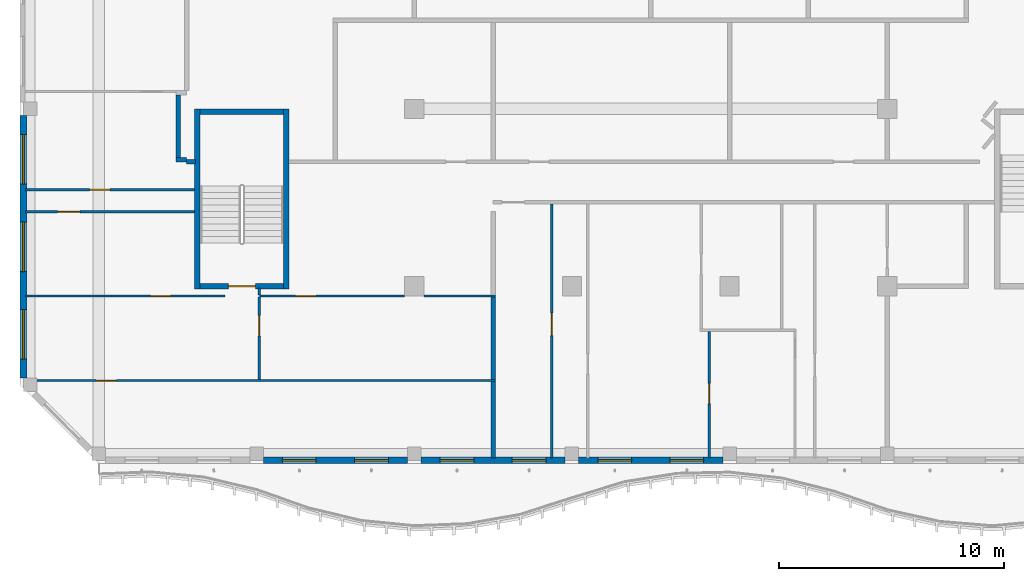
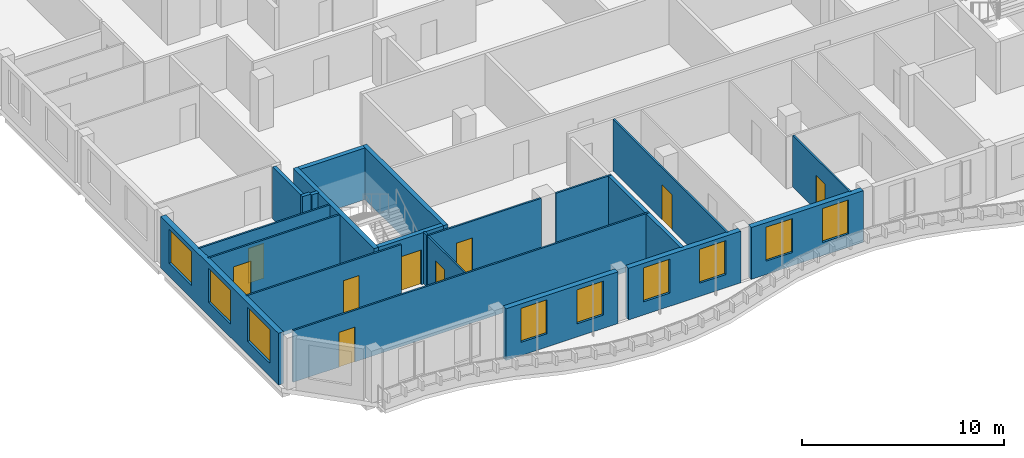
# One storey, part 2 of 18: 23 walls, 9 doors, 9 windows, 18 openings.
"""IFC4 building model written with IfcOpenShell, lengths in metres."""

import ifcopenshell
import ifcopenshell.guid

model = None  # the IFC model being written
_history = None  # IfcOwnerHistory: only IFC2X3 demands one
_inside = {}  # id of a spatial element -> (the spatial element, [elements in it])
_under = {}  # id of a project, library or spatial element -> (it, [spatial elements below it])
_declared = {}  # id of a project -> (the project, [libraries it declares])
_typed = {}  # id of a type object -> (the type object, [elements of that type])
_made_of = {}  # id of a material, layer set ... -> (it, [elements and type objects made of it])


def new_model(schema):
    """Start an empty IFC model of exactly this schema.

    Asked for "IFC4X3", IfcOpenShell would pick the latest addendum, in which some entities
    have other attributes; the version numbers below select the first issue.
    IFC2X3 requires an IfcOwnerHistory on every rooted entity: one is made here for all.
    """
    global model, _history
    if schema == "IFC4X3":
        model = ifcopenshell.file(schema_version=(4, 3, 0, 0))
    else:
        model = ifcopenshell.file(schema=schema)
    _inside.clear()
    _under.clear()
    _declared.clear()
    _typed.clear()
    _made_of.clear()
    _history = None
    if model.schema == "IFC2X3":
        org = make("IfcOrganization", Name="unknown")
        user = make(
            "IfcPersonAndOrganization",
            ThePerson=make("IfcPerson", FamilyName="unknown"),
            TheOrganization=org,
        )
        app = make(
            "IfcApplication",
            ApplicationDeveloper=org,
            Version="unknown",
            ApplicationFullName="unknown",
            ApplicationIdentifier="unknown",
        )
        _history = make(
            "IfcOwnerHistory",
            OwningUser=user,
            OwningApplication=app,
            ChangeAction="ADDED",
            CreationDate=0,
        )
    return model


def make(cls, **values):
    """One entity of the class cls with the attributes given. An attribute that is None is left unset."""
    return model.create_entity(
        cls, **{name: value for name, value in values.items() if value is not None}
    )


def rooted(cls, **values):
    """An entity with a GlobalId (a new one), such as an element, a storey or a relation."""
    return make(cls, GlobalId=ifcopenshell.guid.new(), OwnerHistory=_history, **values)


def si_unit(unit_type, name, prefix=None):
    """IfcSIUnit, for example si_unit("LENGTHUNIT", "METRE", prefix="MILLI")."""
    return make("IfcSIUnit", UnitType=unit_type, Prefix=prefix, Name=name)


def assignment(units):
    """IfcUnitAssignment: the units of a project."""
    return None if units is None else make("IfcUnitAssignment", Units=units)


def point(xyz):
    """IfcCartesianPoint."""
    return None if xyz is None else make("IfcCartesianPoint", Coordinates=xyz)


def direction(xyz):
    """IfcDirection."""
    return None if xyz is None else make("IfcDirection", DirectionRatios=xyz)


def frame(location, z_axis=None, x_axis=None):
    """IfcAxis2Placement3D, a coordinate frame: its origin and axes. An axis left out is left unset."""
    return make(
        "IfcAxis2Placement3D",
        Location=point(location),
        Axis=direction(z_axis),
        RefDirection=direction(x_axis),
    )


def frame_2d(location, x_axis=None):
    """IfcAxis2Placement2D, a coordinate frame in the plane: its origin and x axis."""
    return make(
        "IfcAxis2Placement2D", Location=point(location), RefDirection=direction(x_axis)
    )


def origin():
    """The frame at (0, 0, 0) with its axes left unset."""
    return frame((0.0, 0.0, 0.0))


def place(relative_to, where):
    """IfcLocalPlacement: puts the frame where relative to a parent placement (None: the world)."""
    return make(
        "IfcLocalPlacement", PlacementRelTo=relative_to, RelativePlacement=where
    )


def context(
    kind, dimensions, precision=None, world=None, true_north=None, identifier=None
):
    """IfcGeometricRepresentationContext, for example the 3D "Model" context."""
    return make(
        "IfcGeometricRepresentationContext",
        ContextIdentifier=identifier,
        ContextType=kind,
        CoordinateSpaceDimension=dimensions,
        Precision=precision,
        WorldCoordinateSystem=world,
        TrueNorth=true_north,
    )


def subcontext(parent, identifier, kind, view, scale=None):
    """IfcGeometricRepresentationSubContext, for example "Body" below "Model"."""
    return make(
        "IfcGeometricRepresentationSubContext",
        ContextIdentifier=identifier,
        ContextType=kind,
        ParentContext=parent,
        TargetScale=scale,
        TargetView=view,
    )


def project(units=None, contexts=None):
    """IfcProject with its units and contexts."""
    return rooted(
        "IfcProject",
        Name="project",
        RepresentationContexts=contexts,
        UnitsInContext=assignment(units),
    )


def spatial(cls, under=None, at=None, **own):
    """A site, building, storey or space (cls), placed at a placement, below another one or the project."""
    s = rooted(cls, ObjectPlacement=at, **own)
    if under is not None:
        _under.setdefault(under.id(), (under, []))[1].append(s)
    return s


def profile(cls, at=None, kind="AREA", **sizes):
    """A parametric profile (cls). Its sizes go by their IFC names, for example OverallWidth=200.0."""
    return make(cls, ProfileType=kind, Position=at, **sizes)


def rectangle(**sizes):
    """IfcRectangleProfileDef."""
    return profile("IfcRectangleProfileDef", **sizes)


def extrude(swept, where, along, depth):
    """IfcExtrudedAreaSolid: the profile swept, set in the frame where, extruded along a direction by depth."""
    return make(
        "IfcExtrudedAreaSolid",
        SweptArea=swept,
        Position=where,
        ExtrudedDirection=direction(along),
        Depth=depth,
    )


def shape(context_of_items, identifier, shape_type, items):
    """IfcShapeRepresentation: the items that make up one representation, for example the "Body"."""
    return make(
        "IfcShapeRepresentation",
        ContextOfItems=context_of_items,
        RepresentationIdentifier=identifier,
        RepresentationType=shape_type,
        Items=items,
    )


def source(mapping_origin, context_of_items, identifier, shape_type, items):
    """IfcRepresentationMap: a shape defined once, which mapped items show again and again."""
    return make(
        "IfcRepresentationMap",
        MappingOrigin=mapping_origin,
        MappedRepresentation=shape(context_of_items, identifier, shape_type, items),
    )


def transform(
    local_origin,
    x_axis=None,
    y_axis=None,
    z_axis=None,
    scale=None,
    scale2=None,
    scale3=None,
    uniform=True,
):
    """IfcCartesianTransformationOperator3D, or its non-uniform kind. x_axis, y_axis, z_axis: its Axis1, 2, 3."""
    if uniform:
        return make(
            "IfcCartesianTransformationOperator3D",
            Axis1=direction(x_axis),
            Axis2=direction(y_axis),
            LocalOrigin=point(local_origin),
            Scale=scale,
            Axis3=direction(z_axis),
        )
    return make(
        "IfcCartesianTransformationOperator3DnonUniform",
        Axis1=direction(x_axis),
        Axis2=direction(y_axis),
        LocalOrigin=point(local_origin),
        Scale=scale,
        Axis3=direction(z_axis),
        Scale2=scale2,
        Scale3=scale3,
    )


def mapped(mapping_source, mapping_target):
    """IfcMappedItem: shows the shape of a source again, moved by a transform."""
    return make(
        "IfcMappedItem", MappingSource=mapping_source, MappingTarget=mapping_target
    )


def material(Name=None, Category=None):
    """IfcMaterial."""
    return make("IfcMaterial", Name=Name, Category=Category)


def layer(
    of_material, thickness, ventilated=None, Name=None, Category=None, Priority=None
):
    """IfcMaterialLayer: one layer of a wall or slab, of a material (None: an air gap)."""
    return make(
        "IfcMaterialLayer",
        Material=of_material,
        LayerThickness=thickness,
        IsVentilated=ventilated,
        Name=Name,
        Category=Category,
        Priority=Priority,
    )


def layer_set(layers, Name=None):
    """IfcMaterialLayerSet."""
    return make("IfcMaterialLayerSet", MaterialLayers=layers, LayerSetName=Name)


def made_of(thing, what):
    """Note that an element or type object is made of a material, layer set ...; save() writes the relation."""
    if what is not None:
        _made_of.setdefault(what.id(), (what, []))[1].append(thing)
    return thing


def type_object(cls, material=None, **own):
    """A type object (cls), such as IfcWallType, which elements share."""
    return made_of(rooted(cls, **own), material)


def element(
    cls,
    number,
    at=None,
    inside=None,
    cuts=None,
    type_object=None,
    material=None,
    context=None,
    identifier="Body",
    shape_type=None,
    held_by="IfcProductDefinitionShape",
    body=None,
    shapes=None,
    **own,
):
    """One element of the class cls, such as IfcWall. Its Tag is "e" and its number.

    at: its placement. inside: the storey or other place that contains it. cuts: it is an
    opening in that element (IfcRelVoidsElement). A single representation is given by context,
    identifier, shape_type and body (its items); several are given by shapes. held_by: the class
    of the entity that holds the representations. save() writes the other relations.
    """
    e = rooted(cls, Tag="e%d" % number, ObjectPlacement=at, **own)
    if body is not None:
        shapes = [shape(context, identifier, shape_type, body)]
    if shapes is not None:
        e.Representation = make(held_by, Representations=shapes)
    if inside is not None:
        _inside.setdefault(inside.id(), (inside, []))[1].append(e)
    if cuts is not None:
        rooted(
            "IfcRelVoidsElement", RelatingBuildingElement=cuts, RelatedOpeningElement=e
        )
    if type_object is not None:
        _typed.setdefault(type_object.id(), (type_object, []))[1].append(e)
    return made_of(e, material)


def fill(opening, filler):
    """IfcRelFillsElement: the door or window that sits in an opening."""
    return rooted(
        "IfcRelFillsElement",
        RelatingOpeningElement=opening,
        RelatedBuildingElement=filler,
    )


def aggregate(whole, parts):
    """IfcRelAggregates: a whole, such as a stair, and the parts it consists of."""
    return rooted("IfcRelAggregates", RelatingObject=whole, RelatedObjects=parts)


def save(model, path):
    """Write the relations noted so far, then the file.

    IfcRelAggregates (storeys below a building ...), IfcRelContainedInSpatialStructure (elements
    in a storey), IfcRelDefinesByType, IfcRelAssociatesMaterial and IfcRelDeclares: one each for
    every whole, place, type object, material and project.
    """
    for whole, parts in _under.values():
        aggregate(whole, parts)
    for where, things in _inside.values():
        rooted(
            "IfcRelContainedInSpatialStructure",
            RelatedElements=things,
            RelatingStructure=where,
        )
    for kind, things in _typed.values():
        rooted("IfcRelDefinesByType", RelatedObjects=things, RelatingType=kind)
    for what, things in _made_of.values():
        rooted("IfcRelAssociatesMaterial", RelatedObjects=things, RelatingMaterial=what)
    for by, libraries in _declared.values():
        rooted("IfcRelDeclares", RelatingContext=by, RelatedDefinitions=libraries)
    model.write(path)


model = new_model("IFC4")

# Units and contexts
model_context = context("Model", 3, precision=1e-05, world=origin(), true_north=direction((0.0, 1.0)))
body_context = subcontext(model_context, "Body", "Model", "MODEL_VIEW")
ifc_project = project(units=[si_unit("LENGTHUNIT", "METRE"), si_unit("AREAUNIT", "SQUARE_METRE"), si_unit("VOLUMEUNIT", "CUBIC_METRE"), si_unit("PLANEANGLEUNIT", "RADIAN"), si_unit("MASSUNIT", "GRAM", prefix="KILO")], contexts=[model_context])

# Site, building, storey
site_placement = place(None, origin())
site = spatial("IfcSite", under=ifc_project, at=site_placement, CompositionType="ELEMENT")
building_placement = place(site_placement, origin())
building = spatial("IfcBuilding", under=site, at=building_placement, Name="Kilnfold Tower and Market Hall", CompositionType="ELEMENT")
storey_placement = place(building_placement, frame((0.0, 0.0, 312.0)))
storey = spatial("IfcBuildingStorey", under=building, at=storey_placement, Name="L78", CompositionType="ELEMENT", Elevation=312.0)

# Wall, opening, door
ifc_material_1 = material(Name="Gypsum board on steel studs", Category="steel")
ifc_layer_1 = layer(ifc_material_1, 0.10009765625)
ifc_layer_set_1 = layer_set([ifc_layer_1], Name="Gypsum board on steel studs")
wall_type_1 = type_object("IfcWallType", Name="WALL PARTITION 100", PredefinedType="PARTITIONING", material=ifc_layer_set_1)
wall_1_placement = place(storey_placement, frame((-24.75, -19.81201171875, 0.0), z_axis=(0.0, 0.0, 1.0), x_axis=(1.0, 0.0, 0.0)))
wall_1 = element("IfcWall", 1, at=wall_1_placement, inside=storey, type_object=wall_type_1, Name="Partition LY46.24", PredefinedType="PARTITIONING", context=body_context, shape_type="SweptSolid", body=[
    extrude(rectangle(XDim=20.35009765625, YDim=0.10009765625, at=frame_2d((10.175048828125, 0.0))), origin(), (0.0, 0.0, 1.0), 3.1201171875),
])
opening_1_placement = place(wall_1_placement, frame((2.6240234375, 0.0, 0.0)))
opening_1 = element("IfcOpeningElement", 2, at=opening_1_placement, cuts=wall_1, Name="Opening D2", PredefinedType="OPENING", context=body_context, shape_type="SweptSolid", body=[
    extrude(rectangle(XDim=0.89990234375, YDim=2.10009765625, at=frame_2d((0.449951171875, 1.050048828125))), frame((0.0, 0.06005859375, 0.0), z_axis=(0.0, -1.0, 0.0), x_axis=(1.0, 0.0, 0.0)), (0.0, 0.0, 1.0), 0.1201171875),
])
ifc_material_2 = material(Name="Timber veneer door leaf in steel frame", Category="steel")
door_type_1 = type_object("IfcDoorType", Name="DOOR ROOM 900 X2100", OperationType="NOTDEFINED", PredefinedType="DOOR", material=ifc_material_2)
door_1_placement = place(opening_1_placement, origin())
door_1 = element("IfcDoor", 3, at=door_1_placement, inside=storey, type_object=door_type_1, Name="Door D2", OperationType="SINGLE_SWING_LEFT", OverallHeight=2.10009765625, OverallWidth=0.89990234375, PredefinedType="DOOR", context=body_context, shape_type="SweptSolid", body=[
    extrude(rectangle(XDim=0.89990234375, YDim=2.10009765625, at=frame_2d((0.449951171875, 1.050048828125))), frame((0.0, 0.02490234375, 0.0), z_axis=(0.0, -1.0, 0.0), x_axis=(1.0, 0.0, 0.0)), (0.0, 0.0, 1.0), 0.050048828125),
])
fill(opening_1, door_1)

wall_2_placement = place(storey_placement, frame((-14.875, -19.761962890625, 0.0), z_axis=(0.0, 0.0, 1.0), x_axis=(0.0, 1.0, 0.0)))
wall_2 = element("IfcWall", 4, at=wall_2_placement, inside=storey, type_object=wall_type_1, Name="Partition LY46.26", PredefinedType="PARTITIONING", context=body_context, shape_type="SweptSolid", body=[
    extrude(rectangle(XDim=3.64990234375, YDim=0.10009765625, at=frame_2d((1.824951171875, 0.0))), origin(), (0.0, 0.0, 1.0), 3.1201171875),
])
opening_2_placement = place(wall_2_placement, frame((1.93701171875, 0.0, 0.0)))
opening_2 = element("IfcOpeningElement", 5, at=opening_2_placement, cuts=wall_2, Name="Opening D2", PredefinedType="OPENING", context=body_context, shape_type="SweptSolid", body=[
    extrude(rectangle(XDim=0.89990234375, YDim=2.10009765625, at=frame_2d((0.449951171875, 1.050048828125))), frame((0.0, 0.06005859375, 0.0), z_axis=(0.0, -1.0, 0.0), x_axis=(1.0, 0.0, 0.0)), (0.0, 0.0, 1.0), 0.1201171875),
])
door_2_placement = place(opening_2_placement, origin())
door_2 = element("IfcDoor", 6, at=door_2_placement, inside=storey, type_object=door_type_1, Name="Door D2", OperationType="SINGLE_SWING_RIGHT", OverallHeight=2.10009765625, OverallWidth=0.89990234375, PredefinedType="DOOR", context=body_context, shape_type="SweptSolid", body=[
    extrude(rectangle(XDim=0.89990234375, YDim=2.10009765625, at=frame_2d((0.449951171875, 1.050048828125))), frame((0.0, 0.02490234375, 0.0), z_axis=(0.0, -1.0, 0.0), x_axis=(1.0, 0.0, 0.0)), (0.0, 0.0, 1.0), 0.050048828125),
])
fill(opening_2, door_2)

wall_3_placement = place(storey_placement, frame((-25.25, -16.06201171875, 0.0), z_axis=(0.0, 0.0, 1.0), x_axis=(1.0, 0.0, 0.0)))
wall_3 = element("IfcWall", 7, at=wall_3_placement, inside=storey, type_object=wall_type_1, Name="Partition LY46.27", PredefinedType="PARTITIONING", context=body_context, shape_type="SweptSolid", body=[
    extrude(rectangle(XDim=8.85009765625, YDim=0.10009765625, at=frame_2d((4.425048828125, 0.0))), origin(), (0.0, 0.0, 1.0), 3.1201171875),
])
opening_3_placement = place(wall_3_placement, frame((5.534912109375, 0.0, 0.0)))
opening_3 = element("IfcOpeningElement", 8, at=opening_3_placement, cuts=wall_3, Name="Opening D2", PredefinedType="OPENING", context=body_context, shape_type="SweptSolid", body=[
    extrude(rectangle(XDim=0.89990234375, YDim=2.10009765625, at=frame_2d((0.449951171875, 1.050048828125))), frame((0.0, 0.06005859375, 0.0), z_axis=(0.0, -1.0, 0.0), x_axis=(1.0, 0.0, 0.0)), (0.0, 0.0, 1.0), 0.1201171875),
])
door_3_placement = place(opening_3_placement, origin())
door_3 = element("IfcDoor", 9, at=door_3_placement, inside=storey, type_object=door_type_1, Name="Door D2", OperationType="SINGLE_SWING_RIGHT", OverallHeight=2.10009765625, OverallWidth=0.89990234375, PredefinedType="DOOR", context=body_context, shape_type="SweptSolid", body=[
    extrude(rectangle(XDim=0.89990234375, YDim=2.10009765625, at=frame_2d((0.449951171875, 1.050048828125))), frame((0.0, 0.02490234375, 0.0), z_axis=(0.0, -1.0, 0.0), x_axis=(1.0, 0.0, 0.0)), (0.0, 0.0, 1.0), 0.050048828125),
])
fill(opening_3, door_3)

# Wall
wall_4_placement = place(storey_placement, frame((-7.574951171875, -16.06201171875, 0.0), z_axis=(0.0, 0.0, 1.0), x_axis=(1.0, 0.0, 0.0)))
element("IfcWall", 10, at=wall_4_placement, inside=storey, type_object=wall_type_1, Name="Partition LY46.28", PredefinedType="PARTITIONING", context=body_context, shape_type="SweptSolid", body=[
    extrude(rectangle(XDim=3.175048828125, YDim=0.10009765625, at=frame_2d((1.58740234375, 0.0))), origin(), (0.0, 0.0, 1.0), 3.1201171875),
])

# Wall, opening, door
wall_5_placement = place(storey_placement, frame((-14.875, -16.06201171875, 0.0), z_axis=(0.0, 0.0, 1.0), x_axis=(1.0, 0.0, 0.0)))
wall_5 = element("IfcWall", 11, at=wall_5_placement, inside=storey, type_object=wall_type_1, Name="Partition LY46.29", PredefinedType="PARTITIONING", context=body_context, shape_type="SweptSolid", body=[
    extrude(rectangle(XDim=6.449951171875, YDim=0.10009765625, at=frame_2d((3.22509765625, 0.0))), origin(), (0.0, 0.0, 1.0), 3.1201171875),
])
opening_4_placement = place(wall_5_placement, frame((1.614013671875, 0.0, 0.0)))
opening_4 = element("IfcOpeningElement", 12, at=opening_4_placement, cuts=wall_5, Name="Opening D2", PredefinedType="OPENING", context=body_context, shape_type="SweptSolid", body=[
    extrude(rectangle(XDim=0.89990234375, YDim=2.10009765625, at=frame_2d((0.449951171875, 1.050048828125))), frame((0.0, 0.06005859375, 0.0), z_axis=(0.0, -1.0, 0.0), x_axis=(1.0, 0.0, 0.0)), (0.0, 0.0, 1.0), 0.1201171875),
])
door_4_placement = place(opening_4_placement, origin())
door_4 = element("IfcDoor", 13, at=door_4_placement, inside=storey, type_object=door_type_1, Name="Door D2", OperationType="SINGLE_SWING_RIGHT", OverallHeight=2.10009765625, OverallWidth=0.89990234375, PredefinedType="DOOR", context=body_context, shape_type="SweptSolid", body=[
    extrude(rectangle(XDim=0.89990234375, YDim=2.10009765625, at=frame_2d((0.449951171875, 1.050048828125))), frame((0.0, 0.02490234375, 0.0), z_axis=(0.0, -1.0, 0.0), x_axis=(1.0, 0.0, 0.0)), (0.0, 0.0, 1.0), 0.050048828125),
])
fill(opening_4, door_4)

# Wall
wall_6_placement = place(storey_placement, frame((-14.875, -16.011962890625, 0.0), z_axis=(0.0, 0.0, 1.0), x_axis=(0.0, 1.0, 0.0)))
element("IfcWall", 14, at=wall_6_placement, inside=storey, type_object=wall_type_1, Name="Partition LY46.31", PredefinedType="PARTITIONING", context=body_context, shape_type="SweptSolid", body=[
    extrude(rectangle(XDim=0.31201171875, YDim=0.10009765625, at=frame_2d((0.156005859375, 0.0))), origin(), (0.0, 0.0, 1.0), 3.1201171875),
])

# Wall, opening, door
wall_7_placement = place(storey_placement, frame((-17.75, -12.31201171875, 0.0), z_axis=(0.0, 0.0, 1.0), x_axis=(-1.0, 0.0, 0.0)))
wall_7 = element("IfcWall", 15, at=wall_7_placement, inside=storey, type_object=wall_type_1, Name="Partition LY46.32", PredefinedType="PARTITIONING", context=body_context, shape_type="SweptSolid", body=[
    extrude(rectangle(XDim=7.5, YDim=0.10009765625, at=frame_2d((3.75, 0.0))), origin(), (0.0, 0.0, 1.0), 3.1201171875),
])
opening_5_placement = place(wall_7_placement, frame((5.080078125, 0.0, 0.0)))
opening_5 = element("IfcOpeningElement", 16, at=opening_5_placement, cuts=wall_7, Name="Opening D1", PredefinedType="OPENING", context=body_context, shape_type="SweptSolid", body=[
    extrude(rectangle(XDim=1.0, YDim=2.10009765625, at=frame_2d((0.5, 1.050048828125))), frame((0.0, 0.06005859375, 0.0), z_axis=(0.0, -1.0, 0.0), x_axis=(1.0, 0.0, 0.0)), (0.0, 0.0, 1.0), 0.1201171875),
])
ifc_material_3 = material(Name="Timber veneer door leaf in steel frame", Category="steel")
door_type_2 = type_object("IfcDoorType", Name="DOOR ENTRY 1000 X2100", OperationType="NOTDEFINED", PredefinedType="DOOR", material=ifc_material_3)
door_5_placement = place(opening_5_placement, origin())
door_5 = element("IfcDoor", 17, at=door_5_placement, inside=storey, type_object=door_type_2, Name="Door D1", OperationType="SINGLE_SWING_RIGHT", OverallHeight=2.10009765625, OverallWidth=1.0, PredefinedType="DOOR", context=body_context, shape_type="SweptSolid", body=[
    extrude(rectangle(XDim=1.0, YDim=2.10009765625, at=frame_2d((0.5, 1.050048828125))), frame((0.0, 0.02490234375, 0.0), z_axis=(0.0, -1.0, 0.0), x_axis=(1.0, 0.0, 0.0)), (0.0, 0.0, 1.0), 0.050048828125),
])
fill(opening_5, door_5)

wall_8_placement = place(storey_placement, frame((-17.75, -11.342041015625, 0.0), z_axis=(0.0, 0.0, 1.0), x_axis=(-1.0, 0.0, 0.0)))
wall_8 = element("IfcWall", 18, at=wall_8_placement, inside=storey, type_object=wall_type_1, Name="Partition LY46.34", PredefinedType="PARTITIONING", context=body_context, shape_type="SweptSolid", body=[
    extrude(rectangle(XDim=7.5, YDim=0.10009765625, at=frame_2d((3.75, 0.0))), origin(), (0.0, 0.0, 1.0), 3.1201171875),
])
opening_6_placement = place(wall_8_placement, frame((3.757080078125, 0.0, 0.0)))
opening_6 = element("IfcOpeningElement", 19, at=opening_6_placement, cuts=wall_8, Name="Opening D2", PredefinedType="OPENING", context=body_context, shape_type="SweptSolid", body=[
    extrude(rectangle(XDim=0.89990234375, YDim=2.10009765625, at=frame_2d((0.449951171875, 1.050048828125))), frame((0.0, 0.06005859375, 0.0), z_axis=(0.0, -1.0, 0.0), x_axis=(1.0, 0.0, 0.0)), (0.0, 0.0, 1.0), 0.1201171875),
])
door_6_placement = place(opening_6_placement, origin())
door_6 = element("IfcDoor", 20, at=door_6_placement, inside=storey, type_object=door_type_1, Name="Door D2", OperationType="SINGLE_SWING_LEFT", OverallHeight=2.10009765625, OverallWidth=0.89990234375, PredefinedType="DOOR", context=body_context, shape_type="SweptSolid", body=[
    extrude(rectangle(XDim=0.89990234375, YDim=2.10009765625, at=frame_2d((0.449951171875, 1.050048828125))), frame((0.0, 0.02490234375, 0.0), z_axis=(0.0, -1.0, 0.0), x_axis=(1.0, 0.0, 0.0)), (0.0, 0.0, 1.0), 0.050048828125),
])
fill(opening_6, door_6)

wall_9_placement = place(storey_placement, frame((-1.89990234375, -23.25, 0.0), z_axis=(0.0, 0.0, 1.0), x_axis=(0.0, 1.0, 0.0)))
wall_9 = element("IfcWall", 21, at=wall_9_placement, inside=storey, type_object=wall_type_1, Name="Partition LY46.46", PredefinedType="PARTITIONING", context=body_context, shape_type="SweptSolid", body=[
    extrude(rectangle(XDim=11.27294921875, YDim=0.10009765625, at=frame_2d((5.636474609375, 0.0))), origin(), (0.0, 0.0, 1.0), 3.1201171875),
])
opening_7_placement = place(wall_9_placement, frame((5.43896484375, 0.0, 0.0)))
opening_7 = element("IfcOpeningElement", 22, at=opening_7_placement, cuts=wall_9, Name="Opening D1", PredefinedType="OPENING", context=body_context, shape_type="SweptSolid", body=[
    extrude(rectangle(XDim=1.0, YDim=2.10009765625, at=frame_2d((0.5, 1.050048828125))), frame((0.0, 0.06005859375, 0.0), z_axis=(0.0, -1.0, 0.0), x_axis=(1.0, 0.0, 0.0)), (0.0, 0.0, 1.0), 0.1201171875),
])
door_7_placement = place(opening_7_placement, origin())
door_7 = element("IfcDoor", 23, at=door_7_placement, inside=storey, type_object=door_type_2, Name="Door D1", OperationType="SINGLE_SWING_LEFT", OverallHeight=2.10009765625, OverallWidth=1.0, PredefinedType="DOOR", context=body_context, shape_type="SweptSolid", body=[
    extrude(rectangle(XDim=1.0, YDim=2.10009765625, at=frame_2d((0.5, 1.050048828125))), frame((0.0, 0.02490234375, 0.0), z_axis=(0.0, -1.0, 0.0), x_axis=(1.0, 0.0, 0.0)), (0.0, 0.0, 1.0), 0.050048828125),
])
fill(opening_7, door_7)

wall_10_placement = place(storey_placement, frame((5.10009765625, -23.25, 0.0), z_axis=(0.0, 0.0, 1.0), x_axis=(0.0, 1.0, 0.0)))
wall_10 = element("IfcWall", 24, at=wall_10_placement, inside=storey, type_object=wall_type_1, Name="Partition LY46.48", PredefinedType="PARTITIONING", context=body_context, shape_type="SweptSolid", body=[
    extrude(rectangle(XDim=5.6240234375, YDim=0.10009765625, at=frame_2d((2.81201171875, 0.0))), origin(), (0.0, 0.0, 1.0), 3.1201171875),
])
opening_8_placement = place(wall_10_placement, frame((2.412109375, 0.0, 0.0)))
opening_8 = element("IfcOpeningElement", 25, at=opening_8_placement, cuts=wall_10, Name="Opening D2", PredefinedType="OPENING", context=body_context, shape_type="SweptSolid", body=[
    extrude(rectangle(XDim=0.89990234375, YDim=2.10009765625, at=frame_2d((0.449951171875, 1.050048828125))), frame((0.0, 0.06005859375, 0.0), z_axis=(0.0, -1.0, 0.0), x_axis=(1.0, 0.0, 0.0)), (0.0, 0.0, 1.0), 0.1201171875),
])
door_8_placement = place(opening_8_placement, origin())
door_8 = element("IfcDoor", 26, at=door_8_placement, inside=storey, type_object=door_type_1, Name="Door D2", OperationType="SINGLE_SWING_LEFT", OverallHeight=2.10009765625, OverallWidth=0.89990234375, PredefinedType="DOOR", context=body_context, shape_type="SweptSolid", body=[
    extrude(rectangle(XDim=0.89990234375, YDim=2.10009765625, at=frame_2d((0.449951171875, 1.050048828125))), frame((0.0, 0.02490234375, 0.0), z_axis=(0.0, -1.0, 0.0), x_axis=(1.0, 0.0, 0.0)), (0.0, 0.0, 1.0), 0.050048828125),
])
fill(opening_8, door_8)

# Walls
ifc_material_4 = material(Name="Gypsum board on steel studs", Category="steel")
ifc_layer_2 = layer(ifc_material_4, 0.199951171875)
ifc_layer_set_2 = layer_set([ifc_layer_2], Name="Gypsum board on steel studs")
wall_type_2 = type_object("IfcWallType", Name="WALL PARTY 200", PredefinedType="PARTITIONING", material=ifc_layer_set_2)
wall_11_placement = place(storey_placement, frame((-4.5, -23.25, 0.0), z_axis=(0.0, 0.0, 1.0), x_axis=(0.0, 1.0, 0.0)))
element("IfcWall", 27, at=wall_11_placement, inside=storey, type_object=wall_type_2, Name="Partition LY46.25", PredefinedType="PARTITIONING", context=body_context, shape_type="SweptSolid", body=[
    extrude(rectangle(XDim=3.387939453125, YDim=0.199951171875, at=frame_2d((1.69384765625, 0.0))), origin(), (0.0, 0.0, 1.0), 3.1201171875),
])
wall_12_placement = place(storey_placement, frame((-4.5, -19.761962890625, 0.0), z_axis=(0.0, 0.0, 1.0), x_axis=(0.0, 1.0, 0.0)))
element("IfcWall", 28, at=wall_12_placement, inside=storey, type_object=wall_type_2, Name="Partition LY46.30", PredefinedType="PARTITIONING", context=body_context, shape_type="SweptSolid", body=[
    extrude(rectangle(XDim=3.64990234375, YDim=0.199951171875, at=frame_2d((1.824951171875, 0.0))), origin(), (0.0, 0.0, 1.0), 3.1201171875),
])
wall_13_placement = place(storey_placement, frame((-18.48193359375, -9.902099609375, 0.0), z_axis=(0.0, 0.0, 1.0), x_axis=(0.0, 1.0, 0.0)))
element("IfcWall", 29, at=wall_13_placement, inside=storey, type_object=wall_type_2, Name="Partition LY46.37", PredefinedType="PARTITIONING", context=body_context, shape_type="SweptSolid", body=[
    extrude(rectangle(XDim=2.773193359375, YDim=0.199951171875, at=frame_2d((1.38671875, 0.0))), origin(), (0.0, 0.0, 1.0), 3.1201171875),
])
wall_14_placement = place(storey_placement, frame((-18.10009765625, -10.001953125, 0.0), z_axis=(0.0, 0.0, 1.0), x_axis=(-1.0, 0.0, 0.0)))
element("IfcWall", 30, at=wall_14_placement, inside=storey, type_object=wall_type_2, Name="Partition LY46.38", PredefinedType="PARTITIONING", context=body_context, shape_type="SweptSolid", body=[
    extrude(rectangle(XDim=0.48193359375, YDim=0.199951171875, at=frame_2d((0.240966796875, 0.0))), origin(), (0.0, 0.0, 1.0), 3.1201171875),
])
wall_15_placement = place(storey_placement, frame((-17.699951171875, -10.10009765625, 0.0), z_axis=(0.0, 0.0, 1.0), x_axis=(-1.0, 0.0, 0.0)))
element("IfcWall", 31, at=wall_15_placement, inside=storey, type_object=wall_type_2, Name="Partition LY46.39", PredefinedType="PARTITIONING", context=body_context, shape_type="SweptSolid", body=[
    extrude(rectangle(XDim=0.400146484375, YDim=0.199951171875, at=frame_2d((0.2001953125, 0.0))), origin(), (0.0, 0.0, 1.0), 3.1201171875),
])

# Wall, opening, door
ifc_material_5 = material(Name="Concrete C50", Category="concrete")
ifc_layer_3 = layer(ifc_material_5, 0.25)
ifc_layer_set_3 = layer_set([ifc_layer_3], Name="Concrete C50")
wall_type_3 = type_object("IfcWallType", Name="CORE WALL 250 C50", PredefinedType="SHEAR", material=ifc_layer_set_3)
shared_shape_1 = source(origin(), body_context, "Body", "SweptSolid", [
    extrude(rectangle(XDim=3.699951171875, YDim=0.25, at=frame_2d((1.85009765625, 0.0))), origin(), (0.0, 0.0, 1.0), 3.1201171875),
])
wall_16_placement = place(storey_placement, frame((-17.5, -15.625, 0.0), z_axis=(0.0, 0.0, 1.0), x_axis=(1.0, 0.0, 0.0)))
wall_16 = element("IfcWall", 32, at=wall_16_placement, inside=storey, type_object=wall_type_3, Name="Stair enclosure ST3", PredefinedType="SHEAR", context=body_context, shape_type="MappedRepresentation", body=[
    mapped(shared_shape_1, transform((0.0, 0.0, 0.0))),
])
opening_9_placement = place(wall_16_placement, frame((1.25, 0.0, 0.0)))
opening_9 = element("IfcOpeningElement", 33, at=opening_9_placement, cuts=wall_16, Name="Opening SD1", PredefinedType="OPENING", context=body_context, shape_type="SweptSolid", body=[
    extrude(rectangle(XDim=1.199951171875, YDim=2.10009765625, at=frame_2d((0.60009765625, 1.050048828125))), frame((0.0, 0.135009765625, 0.0), z_axis=(0.0, -1.0, 0.0), x_axis=(1.0, 0.0, 0.0)), (0.0, 0.0, 1.0), 0.27001953125),
])
ifc_material_6 = material(Name="Steel door set with fire-resisting leaf", Category="steel")
door_type_3 = type_object("IfcDoorType", Name="STAIR FLOOR DOOR 1200X2100", OperationType="NOTDEFINED", PredefinedType="DOOR", material=ifc_material_6)
door_9_placement = place(opening_9_placement, origin())
door_9 = element("IfcDoor", 34, at=door_9_placement, inside=storey, type_object=door_type_3, Name="Exit stair ST3 door", OperationType="DOUBLE_DOOR_SINGLE_SWING", OverallHeight=2.10009765625, OverallWidth=1.199951171875, PredefinedType="DOOR", context=body_context, shape_type="SweptSolid", body=[
    extrude(rectangle(XDim=1.199951171875, YDim=2.10009765625, at=frame_2d((0.60009765625, 1.050048828125))), frame((0.0, 0.02490234375, 0.0), z_axis=(0.0, -1.0, 0.0), x_axis=(1.0, 0.0, 0.0)), (0.0, 0.0, 1.0), 0.050048828125),
])
fill(opening_9, door_9)

# Walls
wall_17_placement = place(storey_placement, frame((-17.5, -7.875, 0.0), z_axis=(0.0, 0.0, 1.0), x_axis=(1.0, 0.0, 0.0)))
element("IfcWall", 35, at=wall_17_placement, inside=storey, type_object=wall_type_3, Name="Stair enclosure ST3", PredefinedType="SHEAR", context=body_context, shape_type="MappedRepresentation", body=[
    mapped(shared_shape_1, transform((0.0, 0.0, 0.0))),
])
shared_shape_2 = source(origin(), body_context, "Body", "SweptSolid", [
    extrude(rectangle(XDim=8.0, YDim=0.25, at=frame_2d((4.0, 0.0))), origin(), (0.0, 0.0, 1.0), 3.1201171875),
])
for number, where, z_axis, x_axis, name in (
    (36, (-17.625, -15.75, 0.0), (0.0, 0.0, 1.0), (0.0, 1.0, 0.0), "Stair enclosure ST3"),
    (37, (-13.675048828125, -15.75, 0.0), (0.0, 0.0, 1.0), (0.0, 1.0, 0.0), "Stair enclosure ST3"),
):
    element("IfcWall", number, at=place(storey_placement, frame(where, z_axis=z_axis, x_axis=x_axis)), inside=storey, type_object=wall_type_3, Name=name, PredefinedType="SHEAR", context=body_context, shape_type="MappedRepresentation", body=[
        mapped(shared_shape_2, transform((0.0, 0.0, 0.0))),
    ])

# Wall, openings, windows
ifc_material_7 = material(Name="Precast concrete C50/60", Category="concrete")
ifc_layer_4 = layer(ifc_material_7, 0.300048828125)
ifc_layer_set_4 = layer_set([ifc_layer_4], Name="Precast concrete C50/60")
wall_type_4 = type_object("IfcWallType", Name="PRECAST WALL 300", PredefinedType="SOLIDWALL", material=ifc_layer_set_4)
shared_shape_3 = source(origin(), body_context, "Body", "SweptSolid", [
    extrude(rectangle(XDim=6.39990234375, YDim=0.300048828125, at=frame_2d((3.199951171875, 0.0))), origin(), (0.0, 0.0, 1.0), 3.1201171875),
])
wall_18_placement = place(storey_placement, frame((-14.699951171875, -23.35009765625, 0.0), z_axis=(0.0, 0.0, 1.0), x_axis=(1.0, 0.0, 0.0)))
wall_18 = element("IfcWall", 38, at=wall_18_placement, inside=storey, type_object=wall_type_4, Name="External wall L78 S", PredefinedType="SOLIDWALL", context=body_context, shape_type="MappedRepresentation", body=[
    mapped(shared_shape_3, transform((0.0, 0.0, 0.0))),
])
opening_10_placement = place(wall_18_placement, frame((0.85009765625, 0.0, 0.800048828125)))
opening_10 = element("IfcOpeningElement", 39, at=opening_10_placement, cuts=wall_18, Name="Opening W5", PredefinedType="OPENING", context=body_context, shape_type="SweptSolid", body=[
    extrude(rectangle(XDim=1.5, YDim=2.050048828125, at=frame_2d((0.75, 1.02490234375))), frame((0.0, 0.16015625, 0.0), z_axis=(0.0, -1.0, 0.0), x_axis=(1.0, 0.0, 0.0)), (0.0, 0.0, 1.0), 0.320068359375),
])
opening_11_placement = place(wall_18_placement, frame((4.050048828125, 0.0, 0.800048828125)))
opening_11 = element("IfcOpeningElement", 40, at=opening_11_placement, cuts=wall_18, Name="Opening W5", PredefinedType="OPENING", context=body_context, shape_type="SweptSolid", body=[
    extrude(rectangle(XDim=1.5, YDim=2.050048828125, at=frame_2d((0.75, 1.02490234375))), frame((0.0, 0.16015625, 0.0), z_axis=(0.0, -1.0, 0.0), x_axis=(1.0, 0.0, 0.0)), (0.0, 0.0, 1.0), 0.320068359375),
])
ifc_material_8 = material(Name="Aluminium frame and double glazing", Category="aluminium")
window_type_1 = type_object("IfcWindowType", Name="WINDOW W5 1500X2050", PartitioningType="SINGLE_PANEL", PredefinedType="WINDOW", material=ifc_material_8)
window_1_placement = place(opening_10_placement, origin())
window_1 = element("IfcWindow", 41, at=window_1_placement, inside=storey, type_object=window_type_1, Name="Window W5 L78 S-1", OverallHeight=2.050048828125, OverallWidth=1.5, PartitioningType="SINGLE_PANEL", PredefinedType="WINDOW", context=body_context, shape_type="SweptSolid", body=[
    extrude(rectangle(XDim=1.5, YDim=2.050048828125, at=frame_2d((0.75, 1.02490234375))), frame((0.0, 0.030029296875, 0.0), z_axis=(0.0, -1.0, 0.0), x_axis=(1.0, 0.0, 0.0)), (0.0, 0.0, 1.0), 0.06005859375),
])
fill(opening_10, window_1)
window_2_placement = place(opening_11_placement, origin())
window_2 = element("IfcWindow", 42, at=window_2_placement, inside=storey, type_object=window_type_1, Name="Window W5 L78 S-2", OverallHeight=2.050048828125, OverallWidth=1.5, PartitioningType="SINGLE_PANEL", PredefinedType="WINDOW", context=body_context, shape_type="SweptSolid", body=[
    extrude(rectangle(XDim=1.5, YDim=2.050048828125, at=frame_2d((0.75, 1.02490234375))), frame((0.0, 0.030029296875, 0.0), z_axis=(0.0, -1.0, 0.0), x_axis=(1.0, 0.0, 0.0)), (0.0, 0.0, 1.0), 0.06005859375),
])
fill(opening_11, window_2)

wall_19_placement = place(storey_placement, frame((-7.699951171875, -23.35009765625, 0.0), z_axis=(0.0, 0.0, 1.0), x_axis=(1.0, 0.0, 0.0)))
wall_19 = element("IfcWall", 43, at=wall_19_placement, inside=storey, type_object=wall_type_4, Name="External wall L78 S", PredefinedType="SOLIDWALL", context=body_context, shape_type="MappedRepresentation", body=[
    mapped(shared_shape_3, transform((0.0, 0.0, 0.0))),
])
opening_12_placement = place(wall_19_placement, frame((0.85009765625, 0.0, 0.800048828125)))
opening_12 = element("IfcOpeningElement", 44, at=opening_12_placement, cuts=wall_19, Name="Opening W5", PredefinedType="OPENING", context=body_context, shape_type="SweptSolid", body=[
    extrude(rectangle(XDim=1.5, YDim=2.050048828125, at=frame_2d((0.75, 1.02490234375))), frame((0.0, 0.16015625, 0.0), z_axis=(0.0, -1.0, 0.0), x_axis=(1.0, 0.0, 0.0)), (0.0, 0.0, 1.0), 0.320068359375),
])
opening_13_placement = place(wall_19_placement, frame((4.050048828125, 0.0, 0.800048828125)))
opening_13 = element("IfcOpeningElement", 45, at=opening_13_placement, cuts=wall_19, Name="Opening W5", PredefinedType="OPENING", context=body_context, shape_type="SweptSolid", body=[
    extrude(rectangle(XDim=1.5, YDim=2.050048828125, at=frame_2d((0.75, 1.02490234375))), frame((0.0, 0.16015625, 0.0), z_axis=(0.0, -1.0, 0.0), x_axis=(1.0, 0.0, 0.0)), (0.0, 0.0, 1.0), 0.320068359375),
])
window_3_placement = place(opening_12_placement, origin())
window_3 = element("IfcWindow", 46, at=window_3_placement, inside=storey, type_object=window_type_1, Name="Window W5 L78 S-1", OverallHeight=2.050048828125, OverallWidth=1.5, PartitioningType="SINGLE_PANEL", PredefinedType="WINDOW", context=body_context, shape_type="SweptSolid", body=[
    extrude(rectangle(XDim=1.5, YDim=2.050048828125, at=frame_2d((0.75, 1.02490234375))), frame((0.0, 0.030029296875, 0.0), z_axis=(0.0, -1.0, 0.0), x_axis=(1.0, 0.0, 0.0)), (0.0, 0.0, 1.0), 0.06005859375),
])
fill(opening_12, window_3)
window_4_placement = place(opening_13_placement, origin())
window_4 = element("IfcWindow", 47, at=window_4_placement, inside=storey, type_object=window_type_1, Name="Window W5 L78 S-2", OverallHeight=2.050048828125, OverallWidth=1.5, PartitioningType="SINGLE_PANEL", PredefinedType="WINDOW", context=body_context, shape_type="SweptSolid", body=[
    extrude(rectangle(XDim=1.5, YDim=2.050048828125, at=frame_2d((0.75, 1.02490234375))), frame((0.0, 0.030029296875, 0.0), z_axis=(0.0, -1.0, 0.0), x_axis=(1.0, 0.0, 0.0)), (0.0, 0.0, 1.0), 0.06005859375),
])
fill(opening_13, window_4)

wall_20_placement = place(storey_placement, frame((-0.699951171875, -23.35009765625, 0.0), z_axis=(0.0, 0.0, 1.0), x_axis=(1.0, 0.0, 0.0)))
wall_20 = element("IfcWall", 48, at=wall_20_placement, inside=storey, type_object=wall_type_4, Name="External wall L78 S", PredefinedType="SOLIDWALL", context=body_context, shape_type="MappedRepresentation", body=[
    mapped(shared_shape_3, transform((0.0, 0.0, 0.0))),
])
opening_14_placement = place(wall_20_placement, frame((0.85009765625, 0.0, 0.800048828125)))
opening_14 = element("IfcOpeningElement", 49, at=opening_14_placement, cuts=wall_20, Name="Opening W5", PredefinedType="OPENING", context=body_context, shape_type="SweptSolid", body=[
    extrude(rectangle(XDim=1.5, YDim=2.050048828125, at=frame_2d((0.75, 1.02490234375))), frame((0.0, 0.16015625, 0.0), z_axis=(0.0, -1.0, 0.0), x_axis=(1.0, 0.0, 0.0)), (0.0, 0.0, 1.0), 0.320068359375),
])
opening_15_placement = place(wall_20_placement, frame((4.050048828125, 0.0, 0.800048828125)))
opening_15 = element("IfcOpeningElement", 50, at=opening_15_placement, cuts=wall_20, Name="Opening W5", PredefinedType="OPENING", context=body_context, shape_type="SweptSolid", body=[
    extrude(rectangle(XDim=1.5, YDim=2.050048828125, at=frame_2d((0.75, 1.02490234375))), frame((0.0, 0.16015625, 0.0), z_axis=(0.0, -1.0, 0.0), x_axis=(1.0, 0.0, 0.0)), (0.0, 0.0, 1.0), 0.320068359375),
])
window_5_placement = place(opening_14_placement, origin())
window_5 = element("IfcWindow", 51, at=window_5_placement, inside=storey, type_object=window_type_1, Name="Window W5 L78 S-1", OverallHeight=2.050048828125, OverallWidth=1.5, PartitioningType="SINGLE_PANEL", PredefinedType="WINDOW", context=body_context, shape_type="SweptSolid", body=[
    extrude(rectangle(XDim=1.5, YDim=2.050048828125, at=frame_2d((0.75, 1.02490234375))), frame((0.0, 0.030029296875, 0.0), z_axis=(0.0, -1.0, 0.0), x_axis=(1.0, 0.0, 0.0)), (0.0, 0.0, 1.0), 0.06005859375),
])
fill(opening_14, window_5)
window_6_placement = place(opening_15_placement, origin())
window_6 = element("IfcWindow", 52, at=window_6_placement, inside=storey, type_object=window_type_1, Name="Window W5 L78 S-2", OverallHeight=2.050048828125, OverallWidth=1.5, PartitioningType="SINGLE_PANEL", PredefinedType="WINDOW", context=body_context, shape_type="SweptSolid", body=[
    extrude(rectangle(XDim=1.5, YDim=2.050048828125, at=frame_2d((0.75, 1.02490234375))), frame((0.0, 0.030029296875, 0.0), z_axis=(0.0, -1.0, 0.0), x_axis=(1.0, 0.0, 0.0)), (0.0, 0.0, 1.0), 0.06005859375),
])
fill(opening_15, window_6)

shared_shape_4 = source(origin(), body_context, "Body", "SweptSolid", [
    extrude(rectangle(XDim=11.64990234375, YDim=0.300048828125, at=frame_2d((5.824951171875, 0.0))), origin(), (0.0, 0.0, 1.0), 3.1201171875),
])
wall_21_placement = place(storey_placement, frame((-25.35009765625, -8.050048828125, 0.0), z_axis=(0.0, 0.0, 1.0), x_axis=(0.0, -1.0, 0.0)))
wall_21 = element("IfcWall", 53, at=wall_21_placement, inside=storey, type_object=wall_type_4, Name="External wall L78 W", PredefinedType="SOLIDWALL", context=body_context, shape_type="MappedRepresentation", body=[
    mapped(shared_shape_4, transform((0.0, 0.0, 0.0))),
])
opening_16_placement = place(wall_21_placement, frame((0.841552734375, 0.0, 0.800048828125)))
opening_16 = element("IfcOpeningElement", 54, at=opening_16_placement, cuts=wall_21, Name="Opening W3", PredefinedType="OPENING", context=body_context, shape_type="SweptSolid", body=[
    extrude(rectangle(XDim=2.199951171875, YDim=2.050048828125, at=frame_2d((1.10009765625, 1.02490234375))), frame((0.0, 0.16015625, 0.0), z_axis=(0.0, -1.0, 0.0), x_axis=(1.0, 0.0, 0.0)), (0.0, 0.0, 1.0), 0.320068359375),
])
opening_17_placement = place(wall_21_placement, frame((4.72509765625, 0.0, 0.800048828125)))
opening_17 = element("IfcOpeningElement", 55, at=opening_17_placement, cuts=wall_21, Name="Opening W3", PredefinedType="OPENING", context=body_context, shape_type="SweptSolid", body=[
    extrude(rectangle(XDim=2.199951171875, YDim=2.050048828125, at=frame_2d((1.10009765625, 1.02490234375))), frame((0.0, 0.16015625, 0.0), z_axis=(0.0, -1.0, 0.0), x_axis=(1.0, 0.0, 0.0)), (0.0, 0.0, 1.0), 0.320068359375),
])
opening_18_placement = place(wall_21_placement, frame((8.6083984375, 0.0, 0.800048828125)))
opening_18 = element("IfcOpeningElement", 56, at=opening_18_placement, cuts=wall_21, Name="Opening W3", PredefinedType="OPENING", context=body_context, shape_type="SweptSolid", body=[
    extrude(rectangle(XDim=2.199951171875, YDim=2.050048828125, at=frame_2d((1.10009765625, 1.02490234375))), frame((0.0, 0.16015625, 0.0), z_axis=(0.0, -1.0, 0.0), x_axis=(1.0, 0.0, 0.0)), (0.0, 0.0, 1.0), 0.320068359375),
])
ifc_material_9 = material(Name="Aluminium frame and double glazing", Category="aluminium")
window_type_2 = type_object("IfcWindowType", Name="WINDOW W3 2200X2050", PartitioningType="SINGLE_PANEL", PredefinedType="WINDOW", material=ifc_material_9)
window_7_placement = place(opening_16_placement, origin())
window_7 = element("IfcWindow", 57, at=window_7_placement, inside=storey, type_object=window_type_2, Name="Window W3 L78 W-1", OverallHeight=2.050048828125, OverallWidth=2.199951171875, PartitioningType="SINGLE_PANEL", PredefinedType="WINDOW", context=body_context, shape_type="SweptSolid", body=[
    extrude(rectangle(XDim=2.199951171875, YDim=2.050048828125, at=frame_2d((1.10009765625, 1.02490234375))), frame((0.0, 0.030029296875, 0.0), z_axis=(0.0, -1.0, 0.0), x_axis=(1.0, 0.0, 0.0)), (0.0, 0.0, 1.0), 0.06005859375),
])
fill(opening_16, window_7)
window_8_placement = place(opening_17_placement, origin())
window_8 = element("IfcWindow", 58, at=window_8_placement, inside=storey, type_object=window_type_2, Name="Window W3 L78 W-2", OverallHeight=2.050048828125, OverallWidth=2.199951171875, PartitioningType="SINGLE_PANEL", PredefinedType="WINDOW", context=body_context, shape_type="SweptSolid", body=[
    extrude(rectangle(XDim=2.199951171875, YDim=2.050048828125, at=frame_2d((1.10009765625, 1.02490234375))), frame((0.0, 0.030029296875, 0.0), z_axis=(0.0, -1.0, 0.0), x_axis=(1.0, 0.0, 0.0)), (0.0, 0.0, 1.0), 0.06005859375),
])
fill(opening_17, window_8)
window_9_placement = place(opening_18_placement, origin())
window_9 = element("IfcWindow", 59, at=window_9_placement, inside=storey, type_object=window_type_2, Name="Window W3 L78 W-3", OverallHeight=2.050048828125, OverallWidth=2.199951171875, PartitioningType="SINGLE_PANEL", PredefinedType="WINDOW", context=body_context, shape_type="SweptSolid", body=[
    extrude(rectangle(XDim=2.199951171875, YDim=2.050048828125, at=frame_2d((1.10009765625, 1.02490234375))), frame((0.0, 0.030029296875, 0.0), z_axis=(0.0, -1.0, 0.0), x_axis=(1.0, 0.0, 0.0)), (0.0, 0.0, 1.0), 0.06005859375),
])
fill(opening_18, window_9)

save(model, "model.ifc")
